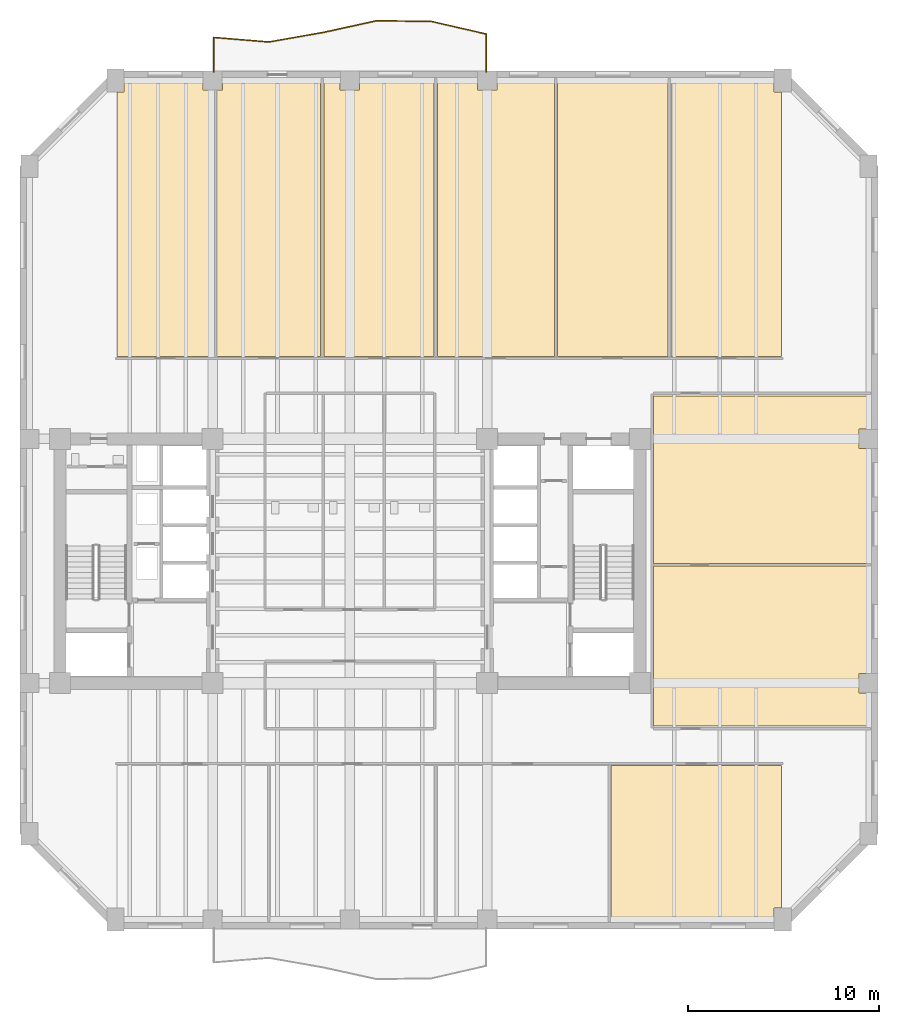
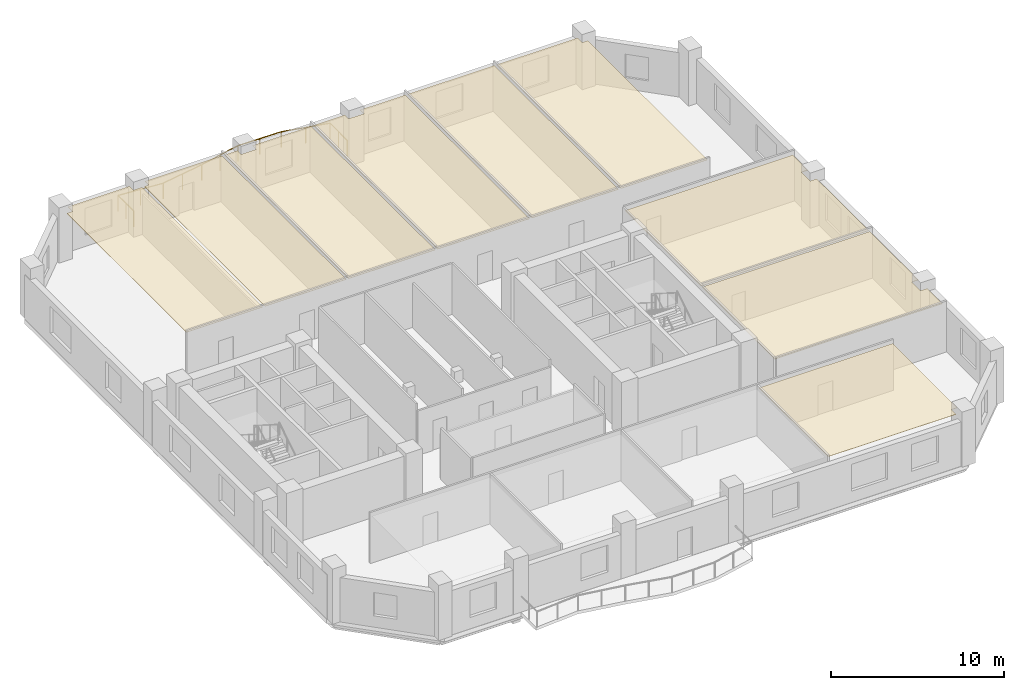
# One storey, part 7 of 8: 9 coverings, 1 railing.
"""IFC4 building model written with IfcOpenShell, lengths in metres."""

from ifc_helpers import new_model, si_unit, direction, frame, origin, origin_2d, place, context, subcontext, project, spatial, polyline, circle, outline, extrude, material, layer, layer_set, type_object, element, save


model = new_model("IFC4")

# Units and contexts
model_context = context("Model", 3, precision=1e-05, world=origin(), true_north=direction((0.0, 1.0)))
body_context = subcontext(model_context, "Body", "Model", "MODEL_VIEW")
ifc_project = project(units=[si_unit("LENGTHUNIT", "METRE"), si_unit("AREAUNIT", "SQUARE_METRE"), si_unit("VOLUMEUNIT", "CUBIC_METRE"), si_unit("PLANEANGLEUNIT", "RADIAN"), si_unit("MASSUNIT", "GRAM", prefix="KILO")], contexts=[model_context])

# Site, building, storey
site_placement = place(None, origin())
site = spatial("IfcSite", under=ifc_project, at=site_placement, CompositionType="ELEMENT")
building_placement = place(site_placement, origin())
building = spatial("IfcBuilding", under=site, at=building_placement, Name="Kranthara Brick Stack", CompositionType="ELEMENT")
storey_placement = place(building_placement, frame((0.0, 0.0, 82.800048828125)))
storey = spatial("IfcBuildingStorey", under=building, at=storey_placement, Name="L20", CompositionType="ELEMENT", Elevation=82.800048828125)

# Coverings
ifc_material_1 = material(Name="Perforated mineral-fibre acoustic ceiling tile", Category="other")
ifc_layer = layer(ifc_material_1, 0.02490234375)
ifc_layer_set = layer_set([ifc_layer], Name="Perforated mineral-fibre acoustic ceiling tile")
covering_type = type_object("IfcCoveringType", Name="COV-CEIL-ACOUSTIC", PredefinedType="CEILING", material=ifc_layer_set)
covering_1_placement = place(storey_placement, frame((0.0, 0.0, 3.329833984375)))
element("IfcCovering", 1, at=covering_1_placement, inside=storey, type_object=covering_type, Name="L20 L20 Collaboration Lounge 4 Acoustic Ceiling", PredefinedType="CEILING", context=body_context, shape_type="SweptSolid", body=[
    extrude(outline(polyline([(41.679931640625, 8.469970703125), (41.679931640625, 16.47998046875), (50.6201171875, 16.47998046875), (50.6201171875, 9.010009765625), (50.239990234375, 9.010009765625), (50.239990234375, 8.469970703125), (41.679931640625, 8.469970703125)])), origin(), (0.0, 0.0, 1.0), 0.025146484375),
])
covering_2_placement = place(storey_placement, frame((0.0, 0.0, 3.329833984375)))
element("IfcCovering", 2, at=covering_2_placement, inside=storey, type_object=covering_type, Name="L20 L20 Executive Cellular Office 1 Acoustic Ceiling", PredefinedType="CEILING", context=body_context, shape_type="SweptSolid", body=[
    extrude(outline(polyline([(20.8701171875, 37.919921875), (15.780029296875, 37.919921875), (15.780029296875, 51.7900390625), (16.159912109375, 51.7900390625), (16.159912109375, 52.330078125), (20.2900390625, 52.330078125), (20.2900390625, 51.889892578125), (20.8701171875, 51.889892578125), (20.8701171875, 37.919921875)])), origin(), (0.0, 0.0, 1.0), 0.025146484375),
])
covering_3_placement = place(storey_placement, frame((0.0, 0.0, 3.329833984375)))
element("IfcCovering", 3, at=covering_3_placement, inside=storey, type_object=covering_type, Name="L20 L20 Executive Cellular Office 2 Acoustic Ceiling", PredefinedType="CEILING", context=body_context, shape_type="SweptSolid", body=[
    extrude(outline(polyline([(26.469970703125, 52.330078125), (26.469970703125, 37.919921875), (21.030029296875, 37.919921875), (21.030029296875, 51.889892578125), (21.31005859375, 51.889892578125), (21.31005859375, 52.330078125), (26.469970703125, 52.330078125)])), origin(), (0.0, 0.0, 1.0), 0.025146484375),
])
covering_4_placement = place(storey_placement, frame((0.0, 0.0, 3.329833984375)))
element("IfcCovering", 4, at=covering_4_placement, inside=storey, type_object=covering_type, Name="L20 L20 Executive Cellular Office 3 Acoustic Ceiling", PredefinedType="CEILING", context=body_context, shape_type="SweptSolid", body=[
    extrude(outline(polyline([(32.419921875, 52.330078125), (32.419921875, 37.919921875), (26.6298828125, 37.919921875), (26.6298828125, 52.330078125), (27.489990234375, 52.330078125), (27.489990234375, 51.889892578125), (28.510009765625, 51.889892578125), (28.510009765625, 52.330078125), (32.419921875, 52.330078125)])), origin(), (0.0, 0.0, 1.0), 0.025146484375),
])
covering_5_placement = place(storey_placement, frame((0.0, 0.0, 3.329833984375)))
element("IfcCovering", 5, at=covering_5_placement, inside=storey, type_object=covering_type, Name="L20 L20 Executive Cellular Office 4 Acoustic Ceiling", PredefinedType="CEILING", context=body_context, shape_type="SweptSolid", body=[
    extrude(outline(polyline([(38.719970703125, 52.330078125), (38.719970703125, 37.919921875), (32.580078125, 37.919921875), (32.580078125, 52.330078125), (34.68994140625, 52.330078125), (34.68994140625, 51.889892578125), (35.7099609375, 51.889892578125), (35.7099609375, 52.330078125), (38.719970703125, 52.330078125)])), origin(), (0.0, 0.0, 1.0), 0.025146484375),
])
covering_6_placement = place(storey_placement, frame((0.0, 0.0, 3.329833984375)))
element("IfcCovering", 6, at=covering_6_placement, inside=storey, type_object=covering_type, Name="L20 L20 Focus Study Room 5 Acoustic Ceiling", PredefinedType="CEILING", context=body_context, shape_type="SweptSolid", body=[
    extrude(outline(polyline([(44.669921875, 37.919921875), (44.669921875, 52.330078125), (38.8798828125, 52.330078125), (38.8798828125, 37.919921875), (44.669921875, 37.919921875)])), origin(), (0.0, 0.0, 1.0), 0.025146484375),
])
covering_7_placement = place(storey_placement, frame((0.0, 0.0, 3.329833984375)))
element("IfcCovering", 7, at=covering_7_placement, inside=storey, type_object=covering_type, Name="L20 L20 Staff Pantry 6 Acoustic Ceiling", PredefinedType="CEILING", context=body_context, shape_type="SweptSolid", body=[
    extrude(outline(polyline([(50.6201171875, 37.919921875), (44.830078125, 37.919921875), (44.830078125, 52.330078125), (50.239990234375, 52.330078125), (50.239990234375, 51.7900390625), (50.6201171875, 51.7900390625), (50.6201171875, 37.919921875)])), origin(), (0.0, 0.0, 1.0), 0.025146484375),
])
covering_8_placement = place(storey_placement, frame((0.0, 0.0, 3.329833984375)))
element("IfcCovering", 8, at=covering_8_placement, inside=storey, type_object=covering_type, Name="L20 L20 East Client Office 1 Acoustic Ceiling", PredefinedType="CEILING", context=body_context, shape_type="SweptSolid", body=[
    extrude(outline(polyline([(55.1298828125, 18.5400390625), (43.919921875, 18.5400390625), (43.919921875, 26.93994140625), (55.1298828125, 26.93994140625), (55.1298828125, 21.31005859375), (54.68994140625, 21.31005859375), (54.68994140625, 20.2900390625), (55.1298828125, 20.2900390625), (55.1298828125, 18.5400390625)])), origin(), (0.0, 0.0, 1.0), 0.025146484375),
])
covering_9_placement = place(storey_placement, frame((0.0, 0.0, 3.329833984375)))
element("IfcCovering", 9, at=covering_9_placement, inside=storey, type_object=covering_type, Name="L20 L20 East Client Office 2 Acoustic Ceiling", PredefinedType="CEILING", context=body_context, shape_type="SweptSolid", body=[
    extrude(outline(polyline([(55.1298828125, 27.06005859375), (43.919921875, 27.06005859375), (43.919921875, 35.860107421875), (55.1298828125, 35.860107421875), (55.1298828125, 34.110107421875), (54.68994140625, 34.110107421875), (54.68994140625, 33.090087890625), (55.1298828125, 33.090087890625), (55.1298828125, 27.06005859375)])), origin(), (0.0, 0.0, 1.0), 0.025146484375),
])

# Railing
ifc_material_2 = material(Name="Bronze anodised aluminium and laminated glass balustrade", Category="aluminium")
railing_type = type_object("IfcRailingType", Name="RL-BALC-1120", PredefinedType="BALUSTRADE", material=ifc_material_2)
railing_placement = place(storey_placement, frame((20.860107421875, 52.840087890625, 0.0)))
element("IfcRailing", 10, at=railing_placement, inside=storey, type_object=railing_type, Name="L20 North Rippling Balcony Balustrade", PredefinedType="BALUSTRADE", context=body_context, shape_type="SweptSolid", body=[
    extrude(circle(Radius=0.02392578125, at=origin_2d()), frame((0.0, 0.0, 1.09619140625), z_axis=(0.0, 1.0, 0.0), x_axis=(-1.0, 0.0, 0.0)), (0.0, 0.0, 1.0), 1.81591796875),
    extrude(circle(Radius=0.02392578125, at=origin_2d()), frame((0.0, 1.81591796875, 1.09619140625), z_axis=(0.99665673176, -0.081702870432, 0.0), x_axis=(0.081702870432, 0.99665673176, 0.0)), (0.0, 0.0, 1.0), 2.8896484375),
    extrude(circle(Radius=0.02392578125, at=origin_2d()), frame((2.8798828125, 1.579833984375, 1.09619140625), z_axis=(0.985004908418, 0.172526317971, 0.0), x_axis=(-0.172526317971, 0.985004908418, 0.0)), (0.0, 0.0, 1.0), 2.920654296875),
    extrude(circle(Radius=0.02392578125, at=origin_2d()), frame((5.7568359375, 2.083740234375, 1.09619140625), z_axis=(0.976733809286, 0.214455276916, 0.0), x_axis=(-0.214455276916, 0.976733809286, 0.0)), (0.0, 0.0, 1.0), 2.841552734375),
    extrude(circle(Radius=0.02392578125, at=origin_2d()), frame((8.5322265625, 2.693115234375, 1.09619140625), z_axis=(0.999923904502, -0.012336336778, 0.0), x_axis=(0.012336336778, 0.999923904502, 0.0)), (0.0, 0.0, 1.0), 2.86962890625),
    extrude(circle(Radius=0.02392578125, at=origin_2d()), frame((11.401611328125, 2.65771484375, 1.09619140625), z_axis=(0.974766060219, -0.223228868753, 0.0), x_axis=(0.223228868753, 0.974766060219, 0.0)), (0.0, 0.0, 1.0), 2.952880859375),
    extrude(circle(Radius=0.02392578125, at=origin_2d()), frame((14.280029296875, 1.99853515625, 1.09619140625), z_axis=(-0.000122159784, -0.999999992538, 0.0), x_axis=(0.999999992538, -0.000122159784, 0.0)), (0.0, 0.0, 1.0), 1.99853515625),
    extrude(circle(Radius=0.02099609375, at=origin_2d()), origin(), (0.0, 0.0, 1.0), 1.072021484375),
    extrude(circle(Radius=0.02099609375, at=origin_2d()), frame((0.0, 0.907958984375, 0.0)), (0.0, 0.0, 1.0), 1.072021484375),
    extrude(circle(Radius=0.02099609375, at=origin_2d()), frame((0.0, 1.81591796875, 0.0)), (0.0, 0.0, 1.0), 1.072021484375),
    extrude(circle(Radius=0.02099609375, at=origin_2d()), frame((1.43994140625, 1.69775390625, 0.0)), (0.0, 0.0, 1.0), 1.072021484375),
    extrude(circle(Radius=0.02099609375, at=origin_2d()), frame((2.8798828125, 1.579833984375, 0.0)), (0.0, 0.0, 1.0), 1.072021484375),
    extrude(circle(Radius=0.02099609375, at=origin_2d()), frame((4.318359375, 1.831787109375, 0.0)), (0.0, 0.0, 1.0), 1.072021484375),
    extrude(circle(Radius=0.02099609375, at=origin_2d()), frame((5.7568359375, 2.083740234375, 0.0)), (0.0, 0.0, 1.0), 1.072021484375),
    extrude(circle(Radius=0.02099609375, at=origin_2d()), frame((7.14453125, 2.388427734375, 0.0)), (0.0, 0.0, 1.0), 1.072021484375),
    extrude(circle(Radius=0.02099609375, at=origin_2d()), frame((8.5322265625, 2.693115234375, 0.0)), (0.0, 0.0, 1.0), 1.072021484375),
    extrude(circle(Radius=0.02099609375, at=origin_2d()), frame((9.966796875, 2.67529296875, 0.0)), (0.0, 0.0, 1.0), 1.072021484375),
    extrude(circle(Radius=0.02099609375, at=origin_2d()), frame((11.401611328125, 2.65771484375, 0.0)), (0.0, 0.0, 1.0), 1.072021484375),
    extrude(circle(Radius=0.02099609375, at=origin_2d()), frame((12.8408203125, 2.328125, 0.0)), (0.0, 0.0, 1.0), 1.072021484375),
    extrude(circle(Radius=0.02099609375, at=origin_2d()), frame((14.280029296875, 1.99853515625, 0.0)), (0.0, 0.0, 1.0), 1.072021484375),
    extrude(circle(Radius=0.02099609375, at=origin_2d()), frame((14.27978515625, 0.999267578125, 0.0)), (0.0, 0.0, 1.0), 1.072021484375),
    extrude(circle(Radius=0.02099609375, at=origin_2d()), frame((14.27978515625, 0.0, 0.0)), (0.0, 0.0, 1.0), 1.072021484375),
])

save(model, "model.ifc")
